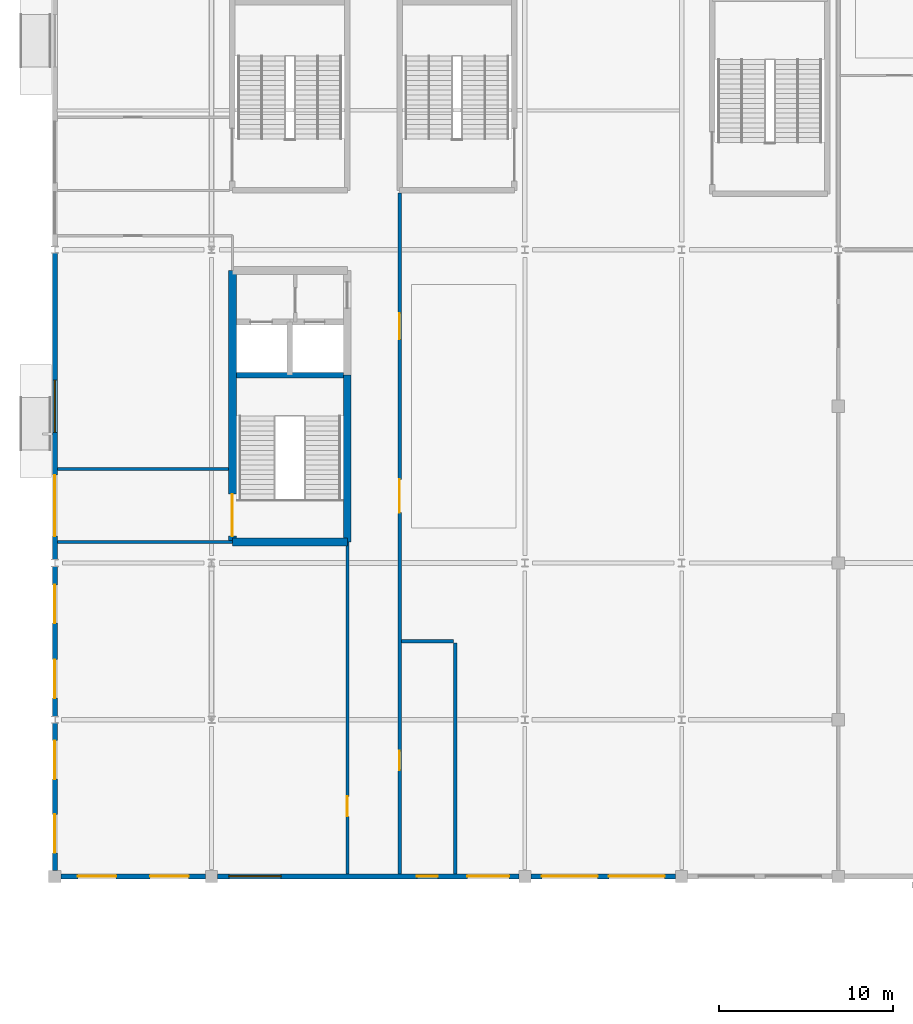
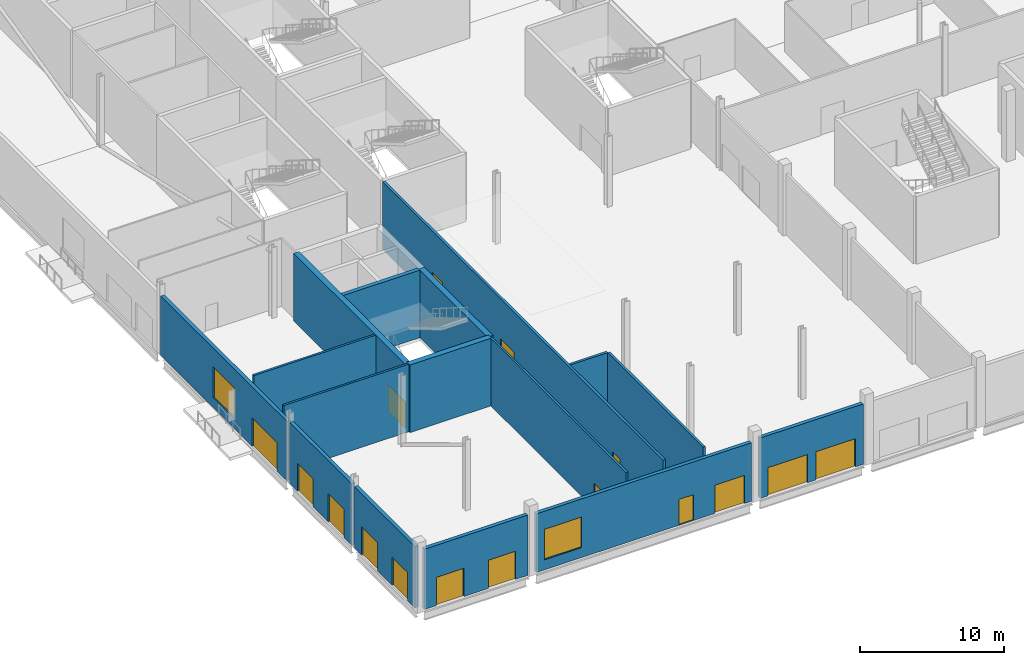
# One storey, part 29 of 84: 16 doors, 16 walls, 2 windows, 18 openings.
"""IFC4 building model written with IfcOpenShell, lengths in metres."""

from ifc_helpers import new_model, si_unit, direction, frame, frame_2d, origin, place, context, subcontext, project, spatial, rectangle, extrude, material, layer, layer_set, type_object, element, fill, save


model = new_model("IFC4")

# Units and contexts
model_context = context("Model", 3, precision=1e-05, world=origin(), true_north=direction((0.0, 1.0)))
body_context = subcontext(model_context, "Body", "Model", "MODEL_VIEW")
ifc_project = project(units=[si_unit("LENGTHUNIT", "METRE"), si_unit("AREAUNIT", "SQUARE_METRE"), si_unit("VOLUMEUNIT", "CUBIC_METRE"), si_unit("PLANEANGLEUNIT", "RADIAN"), si_unit("MASSUNIT", "GRAM", prefix="KILO")], contexts=[model_context])

# Site, building, storey
site_placement = place(None, origin())
site = spatial("IfcSite", under=ifc_project, at=site_placement, CompositionType="ELEMENT")
building_placement = place(site_placement, origin())
building = spatial("IfcBuilding", under=site, at=building_placement, Name="Kisiwana Market Hall", CompositionType="ELEMENT")
storey_placement = place(building_placement, origin())
storey = spatial("IfcBuildingStorey", under=building, at=storey_placement, Name="L00", CompositionType="ELEMENT", Elevation=0.0)

# Wall
ifc_material_1 = material(Name="Masonry blockwork", Category="masonry")
ifc_layer_1 = layer(ifc_material_1, 0.199951171875, Name="Plastered fire compartment block wall")
ifc_layer_set_1 = layer_set([ifc_layer_1], Name="WL-COMP-200")
wall_type_1 = type_object("IfcWallType", Name="WL-COMP-200", PredefinedType="PARTITIONING", material=ifc_layer_set_1)
wall_1_placement = place(storey_placement, frame((19.89990234375, 13.5, 0.0), z_axis=(0.0, 0.0, 1.0), x_axis=(1.0, 0.0, 0.0)))
element("IfcWall", 1, at=wall_1_placement, inside=storey, type_object=wall_type_1, Name="Interior partition W-0547", PredefinedType="PARTITIONING", context=body_context, shape_type="SweptSolid", body=[
    extrude(rectangle(XDim=3.0, YDim=0.199951171875, at=frame_2d((1.5, 0.0))), origin(), (0.0, 0.0, 1.0), 5.75),
])

# Wall, openings, doors
wall_2_placement = place(storey_placement, frame((19.800048828125, 0.14501953125, 0.0), z_axis=(0.0, 0.0, 1.0), x_axis=(0.0, 1.0, 0.0)))
wall_2 = element("IfcWall", 2, at=wall_2_placement, inside=storey, type_object=wall_type_1, Name="Interior partition W-0552", PredefinedType="PARTITIONING", context=body_context, shape_type="SweptSolid", body=[
    extrude(rectangle(XDim=39.094970703125, YDim=0.199951171875, at=frame_2d((19.54736328125, 0.0))), origin(), (0.0, 0.0, 1.0), 5.75),
])
opening_1_placement = place(wall_2_placement, frame((5.965087890625, 0.0, 0.0)))
opening_1 = element("IfcOpeningElement", 3, at=opening_1_placement, cuts=wall_2, Name="Opening DR-L00-048", PredefinedType="OPENING", context=body_context, shape_type="SweptSolid", body=[
    extrude(rectangle(XDim=1.10009765625, YDim=2.199951171875, at=frame_2d((0.550048828125, 1.10009765625))), frame((0.0, 0.11181640625, 0.0), z_axis=(0.0, -1.0, 0.0), x_axis=(1.0, 0.0, 0.0)), (0.0, 0.0, 1.0), 0.223876953125),
])
opening_2_placement = place(wall_2_placement, frame((20.7548828125, 0.0, 0.0)))
opening_2 = element("IfcOpeningElement", 4, at=opening_2_placement, cuts=wall_2, Name="Opening DR-L00-049", PredefinedType="OPENING", context=body_context, shape_type="SweptSolid", body=[
    extrude(rectangle(XDim=1.89990234375, YDim=2.35009765625, at=frame_2d((0.949951171875, 1.175048828125))), frame((0.0, 0.11181640625, 0.0), z_axis=(0.0, -1.0, 0.0), x_axis=(1.0, 0.0, 0.0)), (0.0, 0.0, 1.0), 0.223876953125),
])
opening_3_placement = place(wall_2_placement, frame((30.705078125, 0.0, 0.0)))
opening_3 = element("IfcOpeningElement", 5, at=opening_3_placement, cuts=wall_2, Name="Opening DR-L00-050", PredefinedType="OPENING", context=body_context, shape_type="SweptSolid", body=[
    extrude(rectangle(XDim=1.5, YDim=2.199951171875, at=frame_2d((0.75, 1.10009765625))), frame((0.0, 0.11181640625, 0.0), z_axis=(0.0, -1.0, 0.0), x_axis=(1.0, 0.0, 0.0)), (0.0, 0.0, 1.0), 0.223876953125),
])
ifc_material_2 = material(Name="Steel S275", Category="steel")
door_type_1 = type_object("IfcDoorType", Name="DR-CORR-FD60-1500", OperationType="DOUBLE_DOOR_SINGLE_SWING", PredefinedType="DOOR", material=ifc_material_2)
door_1_placement = place(opening_3_placement, origin())
door_1 = element("IfcDoor", 6, at=door_1_placement, inside=storey, type_object=door_type_1, Name="L00 W South Market Link Corridor Door", OperationType="DOUBLE_DOOR_SINGLE_SWING", OverallHeight=2.199951171875, OverallWidth=1.5, PredefinedType="DOOR", context=body_context, shape_type="SweptSolid", body=[
    extrude(rectangle(XDim=1.5, YDim=2.199951171875, at=frame_2d((0.75, 1.10009765625))), frame((0.0, 0.02490234375, 0.0), z_axis=(0.0, -1.0, 0.0), x_axis=(1.0, 0.0, 0.0)), (0.0, 0.0, 1.0), 0.050048828125),
])
fill(opening_3, door_1)
ifc_material_3 = material(Name="Steel S275", Category="steel")
door_type_2 = type_object("IfcDoorType", Name="DR-FCC-FD120-1100", OperationType="NOTDEFINED", PredefinedType="DOOR", material=ifc_material_3)
door_2_placement = place(opening_1_placement, frame((1.10009765625, 0.0, 0.0), z_axis=(0.0, 0.0, 1.0), x_axis=(-1.0, 0.0, 0.0)))
door_2 = element("IfcDoor", 7, at=door_2_placement, inside=storey, type_object=door_type_2, Name="L00 W Fire Command Centre Door", OperationType="SINGLE_SWING_RIGHT", OverallHeight=2.199951171875, OverallWidth=1.10009765625, PredefinedType="DOOR", context=body_context, shape_type="SweptSolid", body=[
    extrude(rectangle(XDim=1.10009765625, YDim=2.199951171875, at=frame_2d((0.550048828125, 1.10009765625))), frame((0.0, 0.02490234375, 0.0), z_axis=(0.0, -1.0, 0.0), x_axis=(1.0, 0.0, 0.0)), (0.0, 0.0, 1.0), 0.050048828125),
])
fill(opening_1, door_2)
ifc_material_4 = material(Name="Steel S275", Category="steel")
door_type_3 = type_object("IfcDoorType", Name="DR-HALL-1900", OperationType="DOUBLE_DOOR_SINGLE_SWING", PredefinedType="DOOR", material=ifc_material_4)
door_3_placement = place(opening_2_placement, frame((1.89990234375, 0.0, 0.0), z_axis=(0.0, 0.0, 1.0), x_axis=(-1.0, 0.0, 0.0)))
door_3 = element("IfcDoor", 8, at=door_3_placement, inside=storey, type_object=door_type_3, Name="L00 W West Avenue Main Lobby Door", OperationType="DOUBLE_DOOR_SINGLE_SWING", OverallHeight=2.35009765625, OverallWidth=1.89990234375, PredefinedType="DOOR", context=body_context, shape_type="SweptSolid", body=[
    extrude(rectangle(XDim=1.89990234375, YDim=2.35009765625, at=frame_2d((0.949951171875, 1.175048828125))), frame((0.0, 0.02490234375, 0.0), z_axis=(0.0, -1.0, 0.0), x_axis=(1.0, 0.0, 0.0)), (0.0, 0.0, 1.0), 0.050048828125),
])
fill(opening_2, door_3)

# Walls
wall_3_placement = place(storey_placement, frame((23.0, 0.14501953125, 0.0), z_axis=(0.0, 0.0, 1.0), x_axis=(0.0, 1.0, 0.0)))
element("IfcWall", 9, at=wall_3_placement, inside=storey, type_object=wall_type_1, Name="Interior partition W-0653", PredefinedType="PARTITIONING", context=body_context, shape_type="SweptSolid", body=[
    extrude(rectangle(XDim=13.2548828125, YDim=0.199951171875, at=frame_2d((6.62744140625, 0.0))), origin(), (0.0, 0.0, 1.0), 5.75),
])
ifc_material_5 = material(Name="Concrete C40/50", Category="concrete")
ifc_layer_2 = layer(ifc_material_5, 0.320068359375, Name="Reinforced concrete shaft wall")
ifc_layer_set_2 = layer_set([ifc_layer_2], Name="WL-CORE-320")
wall_type_2 = type_object("IfcWallType", Name="WL-CORE-320", PredefinedType="SHEAR", material=ifc_layer_set_2)
wall_4_placement = place(storey_placement, frame((10.425048828125, 28.784912109375, 0.0), z_axis=(0.0, 0.0, 1.0), x_axis=(1.0, 0.0, 0.0)))
element("IfcWall", 10, at=wall_4_placement, inside=storey, type_object=wall_type_2, Name="Core W2 shaft back shear wall W-0340", PredefinedType="SHEAR", context=body_context, shape_type="SweptSolid", body=[
    extrude(rectangle(XDim=6.14990234375, YDim=0.320068359375, at=frame_2d((3.074951171875, 0.0))), origin(), (0.0, 0.0, 1.0), 5.75),
])
ifc_material_6 = material(Name="Concrete C40/50", Category="concrete")
ifc_layer_3 = layer(ifc_material_6, 0.449951171875, Name="Reinforced concrete core wall")
ifc_layer_set_3 = layer_set([ifc_layer_3], Name="WL-CORE-450")
wall_type_3 = type_object("IfcWallType", Name="WL-CORE-450", PredefinedType="SHEAR", material=ifc_layer_set_3)
wall_5_placement = place(storey_placement, frame((10.199951171875, 19.199951171875, 0.0), z_axis=(0.0, 0.0, 1.0), x_axis=(1.0, 0.0, 0.0)))
element("IfcWall", 11, at=wall_5_placement, inside=storey, type_object=wall_type_3, Name="Core W2 south shear wall W-0335", PredefinedType="SHEAR", context=body_context, shape_type="SweptSolid", body=[
    extrude(rectangle(XDim=6.60009765625, YDim=0.449951171875, at=frame_2d((3.300048828125, 0.0))), origin(), (0.0, 0.0, 1.0), 5.75),
])

# Wall, opening, door
wall_6_placement = place(storey_placement, frame((10.199951171875, 19.199951171875, 0.0), z_axis=(0.0, 0.0, 1.0), x_axis=(0.0, 1.0, 0.0)))
wall_6 = element("IfcWall", 12, at=wall_6_placement, inside=storey, type_object=wall_type_3, Name="Core W2 outer shear wall W-0337", PredefinedType="SHEAR", context=body_context, shape_type="SweptSolid", body=[
    extrude(rectangle(XDim=15.60009765625, YDim=0.449951171875, at=frame_2d((7.800048828125, 0.0))), origin(), (0.0, 0.0, 1.0), 5.75),
])
opening_4_placement = place(wall_6_placement, frame((0.35009765625, 0.0, 0.0)))
opening_4 = element("IfcOpeningElement", 13, at=opening_4_placement, cuts=wall_6, Name="Opening DR-L00-001", PredefinedType="OPENING", context=body_context, shape_type="SweptSolid", body=[
    extrude(rectangle(XDim=2.39990234375, YDim=2.25, at=frame_2d((1.199951171875, 1.125))), frame((0.0, 0.23681640625, 0.0), z_axis=(0.0, -1.0, 0.0), x_axis=(1.0, 0.0, 0.0)), (0.0, 0.0, 1.0), 0.473876953125),
])
ifc_material_7 = material(Name="Steel S275", Category="steel")
door_type_4 = type_object("IfcDoorType", Name="DR-STAIR-FD120-2400", OperationType="DOUBLE_DOOR_SINGLE_SWING", PredefinedType="DOOR", material=ifc_material_7)
door_4_placement = place(opening_4_placement, origin())
door_4 = element("IfcDoor", 14, at=door_4_placement, inside=storey, type_object=door_type_4, Name="Escape Stair W2 Fire Door (L00)", OperationType="DOUBLE_DOOR_SINGLE_SWING", OverallHeight=2.25, OverallWidth=2.39990234375, PredefinedType="DOOR", context=body_context, shape_type="SweptSolid", body=[
    extrude(rectangle(XDim=2.39990234375, YDim=2.25, at=frame_2d((1.199951171875, 1.125))), frame((0.0, 0.02490234375, 0.0), z_axis=(0.0, -1.0, 0.0), x_axis=(1.0, 0.0, 0.0)), (0.0, 0.0, 1.0), 0.050048828125),
])
fill(opening_4, door_4)

# Walls
wall_7_placement = place(storey_placement, frame((16.800048828125, 19.199951171875, 0.0), z_axis=(0.0, 0.0, 1.0), x_axis=(0.0, 1.0, 0.0)))
element("IfcWall", 15, at=wall_7_placement, inside=storey, type_object=wall_type_3, Name="Core W2 stair corridor shear wall W-0338", PredefinedType="SHEAR", context=body_context, shape_type="SweptSolid", body=[
    extrude(rectangle(XDim=9.5849609375, YDim=0.449951171875, at=frame_2d((4.79248046875, 0.0))), origin(), (0.0, 0.0, 1.0), 5.75),
])
ifc_material_8 = material(Name="Masonry blockwork", Category="masonry")
ifc_layer_4 = layer(ifc_material_8, 0.169921875, Name="Protected corridor partition")
ifc_layer_set_4 = layer_set([ifc_layer_4], Name="WL-CORR-170")
wall_type_4 = type_object("IfcWallType", Name="WL-CORR-170", PredefinedType="PARTITIONING", material=ifc_layer_set_4)
wall_8_placement = place(storey_placement, frame((0.14501953125, 19.199951171875, 0.0), z_axis=(0.0, 0.0, 1.0), x_axis=(1.0, 0.0, 0.0)))
element("IfcWall", 16, at=wall_8_placement, inside=storey, type_object=wall_type_4, Name="Interior partition W-0539", PredefinedType="PARTITIONING", context=body_context, shape_type="SweptSolid", body=[
    extrude(rectangle(XDim=10.054931640625, YDim=0.169921875, at=frame_2d((5.02734375, 0.0))), origin(), (0.0, 0.0, 1.0), 5.75),
])

# Wall, opening, door
wall_9_placement = place(storey_placement, frame((16.800048828125, 0.14501953125, 0.0), z_axis=(0.0, 0.0, 1.0), x_axis=(0.0, 1.0, 0.0)))
wall_9 = element("IfcWall", 17, at=wall_9_placement, inside=storey, type_object=wall_type_4, Name="Interior partition W-0545", PredefinedType="PARTITIONING", context=body_context, shape_type="SweptSolid", body=[
    extrude(rectangle(XDim=19.054931640625, YDim=0.169921875, at=frame_2d((9.52734375, 0.0))), origin(), (0.0, 0.0, 1.0), 5.75),
])
opening_5_placement = place(wall_9_placement, frame((3.300048828125, 0.0, 0.0)))
opening_5 = element("IfcOpeningElement", 18, at=opening_5_placement, cuts=wall_9, Name="Opening DR-L00-046", PredefinedType="OPENING", context=body_context, shape_type="SweptSolid", body=[
    extrude(rectangle(XDim=1.14990234375, YDim=2.14990234375, at=frame_2d((0.574951171875, 1.074951171875))), frame((0.0, 0.096923828125, 0.0), z_axis=(0.0, -1.0, 0.0), x_axis=(1.0, 0.0, 0.0)), (0.0, 0.0, 1.0), 0.19384765625),
])
ifc_material_9 = material(Name="Aluminium alloy 6063-T6", Category="aluminium")
door_type_5 = type_object("IfcDoorType", Name="DR-MEET-1150", OperationType="NOTDEFINED", PredefinedType="DOOR", material=ifc_material_9)
door_5_placement = place(opening_5_placement, origin())
door_5 = element("IfcDoor", 19, at=door_5_placement, inside=storey, type_object=door_type_5, Name="L00 W Entrance Foyer Door", OperationType="SINGLE_SWING_LEFT", OverallHeight=2.14990234375, OverallWidth=1.14990234375, PredefinedType="DOOR", context=body_context, shape_type="SweptSolid", body=[
    extrude(rectangle(XDim=1.14990234375, YDim=2.14990234375, at=frame_2d((0.574951171875, 1.074951171875))), frame((0.0, 0.02490234375, 0.0), z_axis=(0.0, -1.0, 0.0), x_axis=(1.0, 0.0, 0.0)), (0.0, 0.0, 1.0), 0.050048828125),
])
fill(opening_5, door_5)

# Wall
wall_10_placement = place(storey_placement, frame((0.14501953125, 23.39990234375, 0.0), z_axis=(0.0, 0.0, 1.0), x_axis=(1.0, 0.0, 0.0)))
element("IfcWall", 20, at=wall_10_placement, inside=storey, type_object=wall_type_4, Name="Interior partition W-0668", PredefinedType="PARTITIONING", context=body_context, shape_type="SweptSolid", body=[
    extrude(rectangle(XDim=9.830078125, YDim=0.169921875, at=frame_2d((4.9150390625, 0.0))), origin(), (0.0, 0.0, 1.0), 5.75),
])

# Wall, openings, doors
ifc_material_10 = material(Name="Masonry blockwork", Category="masonry")
ifc_layer_5 = layer(ifc_material_10, 0.139892578125, Name="Rendered masonry outer leaf")
ifc_material_11 = material(Name="Mineral wool insulation")
ifc_layer_6 = layer(ifc_material_11, 0.074951171875, Name="Mineral wool cavity insulation")
ifc_material_12 = material(Name="Gypsum plasterboard")
ifc_layer_7 = layer(ifc_material_12, 0.074951171875, Name="Calcium silicate inner lining")
ifc_layer_set_5 = layer_set([ifc_layer_5, ifc_layer_6, ifc_layer_7], Name="WL-EXT-MAS-290")
wall_type_5 = type_object("IfcWallType", Name="WL-EXT-MAS-290", PredefinedType="STANDARD", material=ifc_layer_set_5)
wall_11_placement = place(storey_placement, frame((0.342041015625, 0.0, 0.0), z_axis=(0.0, 0.0, 1.0), x_axis=(1.0, 0.0, 0.0)))
wall_11 = element("IfcWall", 21, at=wall_11_placement, inside=storey, type_object=wall_type_5, Name="Exterior wall W-0489", PredefinedType="STANDARD", context=body_context, shape_type="SweptSolid", body=[
    extrude(rectangle(XDim=8.31591796875, YDim=0.2900390625, at=frame_2d((4.157958984375, 0.0))), origin(), (0.0, 0.0, 1.0), 5.1376953125),
])
opening_6_placement = place(wall_11_placement, frame((0.97900390625, 0.0, 0.0)))
opening_6 = element("IfcOpeningElement", 22, at=opening_6_placement, cuts=wall_11, Name="Opening DR-L00-801", PredefinedType="OPENING", context=body_context, shape_type="SweptSolid", body=[
    extrude(rectangle(XDim=2.199951171875, YDim=2.39990234375, at=frame_2d((1.10009765625, 1.199951171875))), frame((0.0, 0.156982421875, 0.0), z_axis=(0.0, -1.0, 0.0), x_axis=(1.0, 0.0, 0.0)), (0.0, 0.0, 1.0), 0.31396484375),
])
opening_7_placement = place(wall_11_placement, frame((5.136962890625, 0.0, 0.0)))
opening_7 = element("IfcOpeningElement", 23, at=opening_7_placement, cuts=wall_11, Name="Opening DR-L00-802", PredefinedType="OPENING", context=body_context, shape_type="SweptSolid", body=[
    extrude(rectangle(XDim=2.199951171875, YDim=2.39990234375, at=frame_2d((1.10009765625, 1.199951171875))), frame((0.0, 0.156982421875, 0.0), z_axis=(0.0, -1.0, 0.0), x_axis=(1.0, 0.0, 0.0)), (0.0, 0.0, 1.0), 0.31396484375),
])
ifc_material_13 = material(Name="Aluminium alloy 6063-T6", Category="aluminium")
door_type_6 = type_object("IfcDoorType", Name="DR-EXT-EX-2200", OperationType="DOUBLE_DOOR_SINGLE_SWING", PredefinedType="DOOR", material=ifc_material_13)
door_6_placement = place(opening_6_placement, frame((2.199951171875, 0.0, 0.0), z_axis=(0.0, 0.0, 1.0), x_axis=(-1.0, 0.0, 0.0)))
door_6 = element("IfcDoor", 24, at=door_6_placement, inside=storey, type_object=door_type_6, Name="Ground avenue pedestrian final exit door DR-L00-801", OperationType="DOUBLE_DOOR_SINGLE_SWING", OverallHeight=2.39990234375, OverallWidth=2.199951171875, PredefinedType="DOOR", context=body_context, shape_type="SweptSolid", body=[
    extrude(rectangle(XDim=2.199951171875, YDim=2.39990234375, at=frame_2d((1.10009765625, 1.199951171875))), frame((0.0, 0.02490234375, 0.0), z_axis=(0.0, -1.0, 0.0), x_axis=(1.0, 0.0, 0.0)), (0.0, 0.0, 1.0), 0.050048828125),
])
fill(opening_6, door_6)
door_7_placement = place(opening_7_placement, frame((2.199951171875, 0.0, 0.0), z_axis=(0.0, 0.0, 1.0), x_axis=(-1.0, 0.0, 0.0)))
door_7 = element("IfcDoor", 25, at=door_7_placement, inside=storey, type_object=door_type_6, Name="Ground avenue pedestrian final exit door DR-L00-802", OperationType="DOUBLE_DOOR_SINGLE_SWING", OverallHeight=2.39990234375, OverallWidth=2.199951171875, PredefinedType="DOOR", context=body_context, shape_type="SweptSolid", body=[
    extrude(rectangle(XDim=2.199951171875, YDim=2.39990234375, at=frame_2d((1.10009765625, 1.199951171875))), frame((0.0, 0.02490234375, 0.0), z_axis=(0.0, -1.0, 0.0), x_axis=(1.0, 0.0, 0.0)), (0.0, 0.0, 1.0), 0.050048828125),
])
fill(opening_7, door_7)

# Wall, openings, doors, window
wall_12_placement = place(storey_placement, frame((9.342041015625, 0.0, 0.0), z_axis=(0.0, 0.0, 1.0), x_axis=(1.0, 0.0, 0.0)))
wall_12 = element("IfcWall", 26, at=wall_12_placement, inside=storey, type_object=wall_type_5, Name="Exterior wall W-0490", PredefinedType="STANDARD", context=body_context, shape_type="SweptSolid", body=[
    extrude(rectangle(XDim=17.31591796875, YDim=0.2900390625, at=frame_2d((8.657958984375, 0.0))), origin(), (0.0, 0.0, 1.0), 4.98779296875),
])
opening_8_placement = place(wall_12_placement, frame((11.4580078125, 0.0, 0.0)))
opening_8 = element("IfcOpeningElement", 27, at=opening_8_placement, cuts=wall_12, Name="Opening DR-L00-803", PredefinedType="OPENING", context=body_context, shape_type="SweptSolid", body=[
    extrude(rectangle(XDim=1.199951171875, YDim=2.199951171875, at=frame_2d((0.60009765625, 1.10009765625))), frame((0.0, 0.156982421875, 0.0), z_axis=(0.0, -1.0, 0.0), x_axis=(1.0, 0.0, 0.0)), (0.0, 0.0, 1.0), 0.31396484375),
])
opening_9_placement = place(wall_12_placement, frame((14.35791015625, 0.0, 0.0)))
opening_9 = element("IfcOpeningElement", 28, at=opening_9_placement, cuts=wall_12, Name="Opening DR-L00-804", PredefinedType="OPENING", context=body_context, shape_type="SweptSolid", body=[
    extrude(rectangle(XDim=2.39990234375, YDim=2.39990234375, at=frame_2d((1.199951171875, 1.199951171875))), frame((0.0, 0.156982421875, 0.0), z_axis=(0.0, -1.0, 0.0), x_axis=(1.0, 0.0, 0.0)), (0.0, 0.0, 1.0), 0.31396484375),
])
opening_10_placement = place(wall_12_placement, frame((0.64990234375, 0.0, 0.85009765625)))
opening_10 = element("IfcOpeningElement", 29, at=opening_10_placement, cuts=wall_12, Name="Opening WN-06", PredefinedType="OPENING", context=body_context, shape_type="SweptSolid", body=[
    extrude(rectangle(XDim=3.0, YDim=2.60009765625, at=frame_2d((1.5, 1.300048828125))), frame((0.0, 0.156982421875, 0.0), z_axis=(0.0, -1.0, 0.0), x_axis=(1.0, 0.0, 0.0)), (0.0, 0.0, 1.0), 0.31396484375),
])
ifc_material_14 = material(Name="Aluminium alloy 6063-T6", Category="aluminium")
door_type_7 = type_object("IfcDoorType", Name="DR-EXT-EX-2400", OperationType="DOUBLE_DOOR_SINGLE_SWING", PredefinedType="DOOR", material=ifc_material_14)
door_8_placement = place(opening_9_placement, frame((2.39990234375, 0.0, 0.0), z_axis=(0.0, 0.0, 1.0), x_axis=(-1.0, 0.0, 0.0)))
door_8 = element("IfcDoor", 30, at=door_8_placement, inside=storey, type_object=door_type_7, Name="Lobby final exit door DR-L00-804", OperationType="DOUBLE_DOOR_SINGLE_SWING", OverallHeight=2.39990234375, OverallWidth=2.39990234375, PredefinedType="DOOR", context=body_context, shape_type="SweptSolid", body=[
    extrude(rectangle(XDim=2.39990234375, YDim=2.39990234375, at=frame_2d((1.199951171875, 1.199951171875))), frame((0.0, 0.02490234375, 0.0), z_axis=(0.0, -1.0, 0.0), x_axis=(1.0, 0.0, 0.0)), (0.0, 0.0, 1.0), 0.050048828125),
])
fill(opening_9, door_8)
ifc_material_15 = material(Name="Aluminium alloy 6063-T6", Category="aluminium")
door_type_8 = type_object("IfcDoorType", Name="DR-EXT-SVC-1200", OperationType="NOTDEFINED", PredefinedType="DOOR", material=ifc_material_15)
door_9_placement = place(opening_8_placement, frame((1.199951171875, 0.0, 0.0), z_axis=(0.0, 0.0, 1.0), x_axis=(-1.0, 0.0, 0.0)))
door_9 = element("IfcDoor", 31, at=door_9_placement, inside=storey, type_object=door_type_8, Name="Fire command centre street door DR-L00-803", OperationType="NOTDEFINED", OverallHeight=2.199951171875, OverallWidth=1.199951171875, PredefinedType="DOOR", context=body_context, shape_type="SweptSolid", body=[
    extrude(rectangle(XDim=1.199951171875, YDim=2.199951171875, at=frame_2d((0.60009765625, 1.10009765625))), frame((0.0, 0.02490234375, 0.0), z_axis=(0.0, -1.0, 0.0), x_axis=(1.0, 0.0, 0.0)), (0.0, 0.0, 1.0), 0.050048828125),
])
fill(opening_8, door_9)
ifc_material_16 = material(Name="Double-glazed solar-control low-E IGU", Category="glass")
window_type = type_object("IfcWindowType", Name="WN-POD-3000x2600", PartitioningType="SINGLE_PANEL", PredefinedType="WINDOW", material=ifc_material_16)
window_1_placement = place(opening_10_placement, origin())
window_1 = element("IfcWindow", 32, at=window_1_placement, inside=storey, type_object=window_type, Name="Exterior window WN-001", OverallHeight=2.60009765625, OverallWidth=3.0, PartitioningType="SINGLE_PANEL", PredefinedType="WINDOW", context=body_context, shape_type="SweptSolid", body=[
    extrude(rectangle(XDim=3.0, YDim=2.60009765625, at=frame_2d((1.5, 1.300048828125))), frame((0.0, 0.030029296875, 0.0), z_axis=(0.0, -1.0, 0.0), x_axis=(1.0, 0.0, 0.0)), (0.0, 0.0, 1.0), 0.06005859375),
])
fill(opening_10, window_1)

# Wall, openings, doors
wall_13_placement = place(storey_placement, frame((27.342041015625, 0.0, 0.0), z_axis=(0.0, 0.0, 1.0), x_axis=(1.0, 0.0, 0.0)))
wall_13 = element("IfcWall", 33, at=wall_13_placement, inside=storey, type_object=wall_type_5, Name="Exterior wall W-0491", PredefinedType="STANDARD", context=body_context, shape_type="SweptSolid", body=[
    extrude(rectangle(XDim=8.31591796875, YDim=0.2900390625, at=frame_2d((4.157958984375, 0.0))), origin(), (0.0, 0.0, 1.0), 5.1376953125),
])
opening_11_placement = place(wall_13_placement, frame((0.62890625, 0.0, 0.0)))
opening_11 = element("IfcOpeningElement", 34, at=opening_11_placement, cuts=wall_13, Name="Opening DR-L00-805", PredefinedType="OPENING", context=body_context, shape_type="SweptSolid", body=[
    extrude(rectangle(XDim=3.199951171875, YDim=2.39990234375, at=frame_2d((1.60009765625, 1.199951171875))), frame((0.0, 0.156982421875, 0.0), z_axis=(0.0, -1.0, 0.0), x_axis=(1.0, 0.0, 0.0)), (0.0, 0.0, 1.0), 0.31396484375),
])
opening_12_placement = place(wall_13_placement, frame((4.487060546875, 0.0, 0.0)))
opening_12 = element("IfcOpeningElement", 35, at=opening_12_placement, cuts=wall_13, Name="Opening DR-L00-806", PredefinedType="OPENING", context=body_context, shape_type="SweptSolid", body=[
    extrude(rectangle(XDim=3.199951171875, YDim=2.39990234375, at=frame_2d((1.60009765625, 1.199951171875))), frame((0.0, 0.156982421875, 0.0), z_axis=(0.0, -1.0, 0.0), x_axis=(1.0, 0.0, 0.0)), (0.0, 0.0, 1.0), 0.31396484375),
])
ifc_material_17 = material(Name="Aluminium alloy 6063-T6", Category="aluminium")
door_type_9 = type_object("IfcDoorType", Name="DR-EXT-EX-3200", OperationType="DOUBLE_DOOR_SINGLE_SWING", PredefinedType="DOOR", material=ifc_material_17)
door_10_placement = place(opening_11_placement, frame((3.199951171875, 0.0, 0.0), z_axis=(0.0, 0.0, 1.0), x_axis=(-1.0, 0.0, 0.0)))
door_10 = element("IfcDoor", 36, at=door_10_placement, inside=storey, type_object=door_type_9, Name="Ground avenue pedestrian final exit door DR-L00-805", OperationType="DOUBLE_DOOR_SINGLE_SWING", OverallHeight=2.39990234375, OverallWidth=3.199951171875, PredefinedType="DOOR", context=body_context, shape_type="SweptSolid", body=[
    extrude(rectangle(XDim=3.199951171875, YDim=2.39990234375, at=frame_2d((1.60009765625, 1.199951171875))), frame((0.0, 0.02490234375, 0.0), z_axis=(0.0, -1.0, 0.0), x_axis=(1.0, 0.0, 0.0)), (0.0, 0.0, 1.0), 0.050048828125),
])
fill(opening_11, door_10)
door_11_placement = place(opening_12_placement, frame((3.199951171875, 0.0, 0.0), z_axis=(0.0, 0.0, 1.0), x_axis=(-1.0, 0.0, 0.0)))
door_11 = element("IfcDoor", 37, at=door_11_placement, inside=storey, type_object=door_type_9, Name="Ground avenue pedestrian final exit door DR-L00-806", OperationType="DOUBLE_DOOR_SINGLE_SWING", OverallHeight=2.39990234375, OverallWidth=3.199951171875, PredefinedType="DOOR", context=body_context, shape_type="SweptSolid", body=[
    extrude(rectangle(XDim=3.199951171875, YDim=2.39990234375, at=frame_2d((1.60009765625, 1.199951171875))), frame((0.0, 0.02490234375, 0.0), z_axis=(0.0, -1.0, 0.0), x_axis=(1.0, 0.0, 0.0)), (0.0, 0.0, 1.0), 0.050048828125),
])
fill(opening_12, door_11)

wall_14_placement = place(storey_placement, frame((0.0, 0.342041015625, 0.0), z_axis=(0.0, 0.0, 1.0), x_axis=(0.0, 1.0, 0.0)))
wall_14 = element("IfcWall", 38, at=wall_14_placement, inside=storey, type_object=wall_type_5, Name="Exterior wall W-0517", PredefinedType="STANDARD", context=body_context, shape_type="SweptSolid", body=[
    extrude(rectangle(XDim=8.466064453125, YDim=0.2900390625, at=frame_2d((4.23291015625, 0.0))), origin(), (0.0, 0.0, 1.0), 5.216796875),
])
opening_13_placement = place(wall_14_placement, frame((1.0166015625, 0.0, 0.0)))
opening_13 = element("IfcOpeningElement", 39, at=opening_13_placement, cuts=wall_14, Name="Opening DR-L00-860", PredefinedType="OPENING", context=body_context, shape_type="SweptSolid", body=[
    extrude(rectangle(XDim=2.199951171875, YDim=2.39990234375, at=frame_2d((1.10009765625, 1.199951171875))), frame((0.0, 0.156982421875, 0.0), z_axis=(0.0, -1.0, 0.0), x_axis=(1.0, 0.0, 0.0)), (0.0, 0.0, 1.0), 0.31396484375),
])
opening_14_placement = place(wall_14_placement, frame((5.249755859375, 0.0, 0.0)))
opening_14 = element("IfcOpeningElement", 40, at=opening_14_placement, cuts=wall_14, Name="Opening DR-L00-861", PredefinedType="OPENING", context=body_context, shape_type="SweptSolid", body=[
    extrude(rectangle(XDim=2.199951171875, YDim=2.39990234375, at=frame_2d((1.10009765625, 1.199951171875))), frame((0.0, 0.156982421875, 0.0), z_axis=(0.0, -1.0, 0.0), x_axis=(1.0, 0.0, 0.0)), (0.0, 0.0, 1.0), 0.31396484375),
])
door_12_placement = place(opening_13_placement, origin())
door_12 = element("IfcDoor", 41, at=door_12_placement, inside=storey, type_object=door_type_6, Name="Ground avenue pedestrian final exit door DR-L00-860", OperationType="DOUBLE_DOOR_SINGLE_SWING", OverallHeight=2.39990234375, OverallWidth=2.199951171875, PredefinedType="DOOR", context=body_context, shape_type="SweptSolid", body=[
    extrude(rectangle(XDim=2.199951171875, YDim=2.39990234375, at=frame_2d((1.10009765625, 1.199951171875))), frame((0.0, 0.02490234375, 0.0), z_axis=(0.0, -1.0, 0.0), x_axis=(1.0, 0.0, 0.0)), (0.0, 0.0, 1.0), 0.050048828125),
])
fill(opening_13, door_12)
door_13_placement = place(opening_14_placement, origin())
door_13 = element("IfcDoor", 42, at=door_13_placement, inside=storey, type_object=door_type_6, Name="Ground avenue pedestrian final exit door DR-L00-861", OperationType="DOUBLE_DOOR_SINGLE_SWING", OverallHeight=2.39990234375, OverallWidth=2.199951171875, PredefinedType="DOOR", context=body_context, shape_type="SweptSolid", body=[
    extrude(rectangle(XDim=2.199951171875, YDim=2.39990234375, at=frame_2d((1.10009765625, 1.199951171875))), frame((0.0, 0.02490234375, 0.0), z_axis=(0.0, -1.0, 0.0), x_axis=(1.0, 0.0, 0.0)), (0.0, 0.0, 1.0), 0.050048828125),
])
fill(opening_14, door_13)

wall_15_placement = place(storey_placement, frame((0.0, 9.19189453125, 0.0), z_axis=(0.0, 0.0, 1.0), x_axis=(0.0, 1.0, 0.0)))
wall_15 = element("IfcWall", 43, at=wall_15_placement, inside=storey, type_object=wall_type_5, Name="Exterior wall W-0518", PredefinedType="STANDARD", context=body_context, shape_type="SweptSolid", body=[
    extrude(rectangle(XDim=8.609619140625, YDim=0.2900390625, at=frame_2d((4.3046875, 0.0))), origin(), (0.0, 0.0, 1.0), 5.216796875),
])
opening_15_placement = place(wall_15_placement, frame((1.052490234375, 0.0, 0.0)))
opening_15 = element("IfcOpeningElement", 44, at=opening_15_placement, cuts=wall_15, Name="Opening DR-L00-862", PredefinedType="OPENING", context=body_context, shape_type="SweptSolid", body=[
    extrude(rectangle(XDim=2.199951171875, YDim=2.39990234375, at=frame_2d((1.10009765625, 1.199951171875))), frame((0.0, 0.156982421875, 0.0), z_axis=(0.0, -1.0, 0.0), x_axis=(1.0, 0.0, 0.0)), (0.0, 0.0, 1.0), 0.31396484375),
])
opening_16_placement = place(wall_15_placement, frame((5.357421875, 0.0, 0.0)))
opening_16 = element("IfcOpeningElement", 45, at=opening_16_placement, cuts=wall_15, Name="Opening DR-L00-863", PredefinedType="OPENING", context=body_context, shape_type="SweptSolid", body=[
    extrude(rectangle(XDim=2.199951171875, YDim=2.39990234375, at=frame_2d((1.10009765625, 1.199951171875))), frame((0.0, 0.156982421875, 0.0), z_axis=(0.0, -1.0, 0.0), x_axis=(1.0, 0.0, 0.0)), (0.0, 0.0, 1.0), 0.31396484375),
])
door_14_placement = place(opening_15_placement, origin())
door_14 = element("IfcDoor", 46, at=door_14_placement, inside=storey, type_object=door_type_6, Name="Ground avenue pedestrian final exit door DR-L00-862", OperationType="DOUBLE_DOOR_SINGLE_SWING", OverallHeight=2.39990234375, OverallWidth=2.199951171875, PredefinedType="DOOR", context=body_context, shape_type="SweptSolid", body=[
    extrude(rectangle(XDim=2.199951171875, YDim=2.39990234375, at=frame_2d((1.10009765625, 1.199951171875))), frame((0.0, 0.02490234375, 0.0), z_axis=(0.0, -1.0, 0.0), x_axis=(1.0, 0.0, 0.0)), (0.0, 0.0, 1.0), 0.050048828125),
])
fill(opening_15, door_14)
door_15_placement = place(opening_16_placement, origin())
door_15 = element("IfcDoor", 47, at=door_15_placement, inside=storey, type_object=door_type_6, Name="Ground avenue pedestrian final exit door DR-L00-863", OperationType="DOUBLE_DOOR_SINGLE_SWING", OverallHeight=2.39990234375, OverallWidth=2.199951171875, PredefinedType="DOOR", context=body_context, shape_type="SweptSolid", body=[
    extrude(rectangle(XDim=2.199951171875, YDim=2.39990234375, at=frame_2d((1.10009765625, 1.199951171875))), frame((0.0, 0.02490234375, 0.0), z_axis=(0.0, -1.0, 0.0), x_axis=(1.0, 0.0, 0.0)), (0.0, 0.0, 1.0), 0.050048828125),
])
fill(opening_16, door_15)

# Wall, openings, door, window
wall_16_placement = place(storey_placement, frame((0.0, 18.198486328125, 0.0), z_axis=(0.0, 0.0, 1.0), x_axis=(0.0, 1.0, 0.0)))
wall_16 = element("IfcWall", 48, at=wall_16_placement, inside=storey, type_object=wall_type_5, Name="Exterior wall W-0519", PredefinedType="STANDARD", context=body_context, shape_type="SweptSolid", body=[
    extrude(rectangle(XDim=17.60302734375, YDim=0.2900390625, at=frame_2d((8.801513671875, 0.0))), origin(), (0.0, 0.0, 1.0), 5.06640625),
])
opening_17_placement = place(wall_16_placement, frame((1.3515625, 0.0, 0.0)))
opening_17 = element("IfcOpeningElement", 49, at=opening_17_placement, cuts=wall_16, Name="Opening DR-L00-864", PredefinedType="OPENING", context=body_context, shape_type="SweptSolid", body=[
    extrude(rectangle(XDim=3.5, YDim=2.39990234375, at=frame_2d((1.75, 1.199951171875))), frame((0.0, 0.156982421875, 0.0), z_axis=(0.0, -1.0, 0.0), x_axis=(1.0, 0.0, 0.0)), (0.0, 0.0, 1.0), 0.31396484375),
])
opening_18_placement = place(wall_16_placement, frame((7.301513671875, 0.0, 0.85009765625)))
opening_18 = element("IfcOpeningElement", 50, at=opening_18_placement, cuts=wall_16, Name="Opening WN-06", PredefinedType="OPENING", context=body_context, shape_type="SweptSolid", body=[
    extrude(rectangle(XDim=3.0, YDim=2.60009765625, at=frame_2d((1.5, 1.300048828125))), frame((0.0, 0.156982421875, 0.0), z_axis=(0.0, -1.0, 0.0), x_axis=(1.0, 0.0, 0.0)), (0.0, 0.0, 1.0), 0.31396484375),
])
ifc_material_18 = material(Name="Aluminium alloy 6063-T6", Category="aluminium")
door_type_10 = type_object("IfcDoorType", Name="DR-EXT-EX-3500", OperationType="DOUBLE_DOOR_SINGLE_SWING", PredefinedType="DOOR", material=ifc_material_18)
door_16_placement = place(opening_17_placement, origin())
door_16 = element("IfcDoor", 51, at=door_16_placement, inside=storey, type_object=door_type_10, Name="Escape passage final exit door DR-L00-864", OperationType="DOUBLE_DOOR_SINGLE_SWING", OverallHeight=2.39990234375, OverallWidth=3.5, PredefinedType="DOOR", context=body_context, shape_type="SweptSolid", body=[
    extrude(rectangle(XDim=3.5, YDim=2.39990234375, at=frame_2d((1.75, 1.199951171875))), frame((0.0, 0.02490234375, 0.0), z_axis=(0.0, -1.0, 0.0), x_axis=(1.0, 0.0, 0.0)), (0.0, 0.0, 1.0), 0.050048828125),
])
fill(opening_17, door_16)
window_2_placement = place(opening_18_placement, origin())
window_2 = element("IfcWindow", 52, at=window_2_placement, inside=storey, type_object=window_type, Name="Exterior window WN-006", OverallHeight=2.60009765625, OverallWidth=3.0, PartitioningType="SINGLE_PANEL", PredefinedType="WINDOW", context=body_context, shape_type="SweptSolid", body=[
    extrude(rectangle(XDim=3.0, YDim=2.60009765625, at=frame_2d((1.5, 1.300048828125))), frame((0.0, 0.030029296875, 0.0), z_axis=(0.0, -1.0, 0.0), x_axis=(1.0, 0.0, 0.0)), (0.0, 0.0, 1.0), 0.06005859375),
])
fill(opening_18, window_2)

save(model, "model.ifc")
